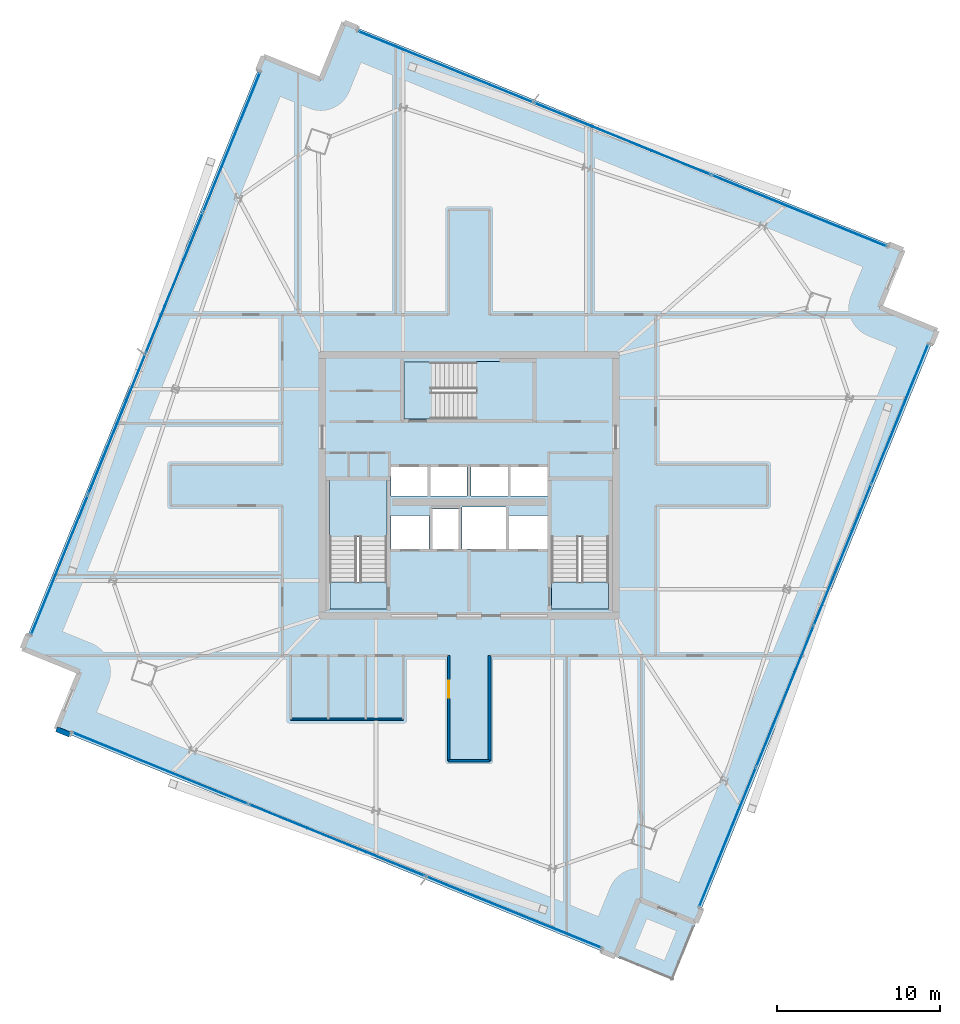
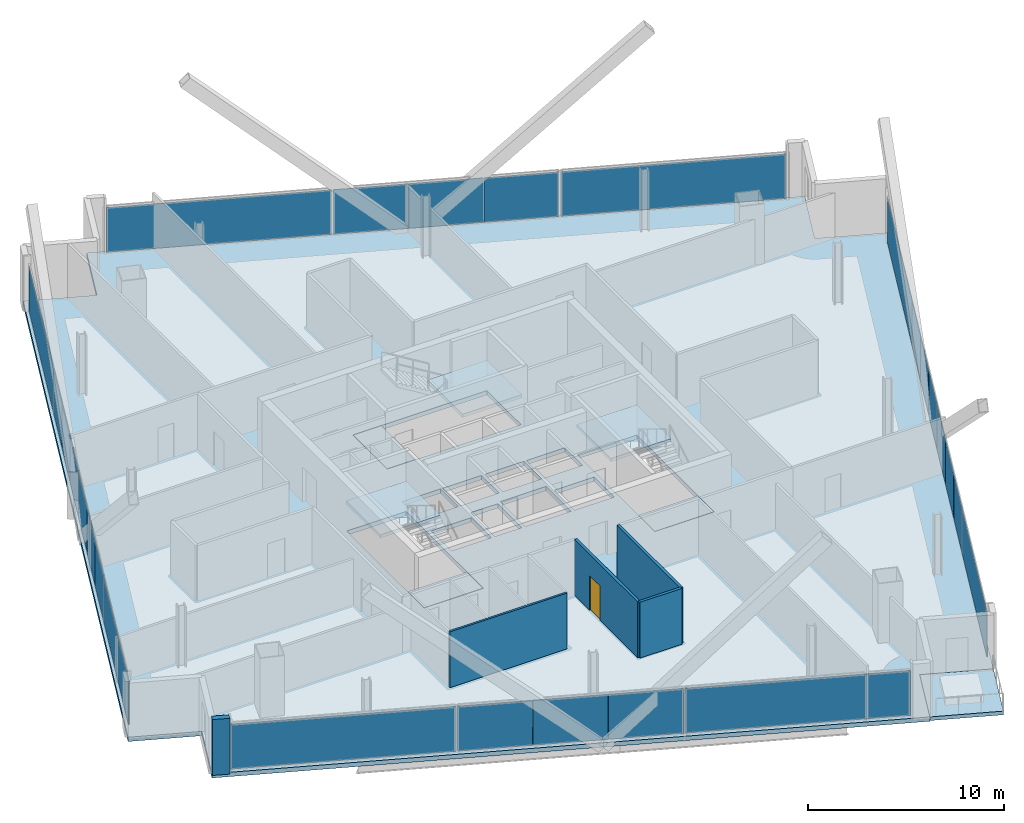
# One storey, part 23 of 31: 26 plates, 8 slabs, 5 walls, 1 door, 1 opening, 7 elements without a shape of their own.
"""IFC4 building model written with IfcOpenShell, lengths in metres."""

from ifc_helpers import new_model, si_unit, direction, frame, frame_2d, origin, origin_2d, place, context, subcontext, project, spatial, polyline, rectangle, outline, extrude, source, transform, mapped, material, layer, layer_set, type_object, element, fill, aggregate, save


model = new_model("IFC4")

# Units and contexts
model_context = context("Model", 3, precision=1e-05, world=origin(), true_north=direction((0.0, 1.0)))
body_context = subcontext(model_context, "Body", "Model", "MODEL_VIEW")
ifc_project = project(units=[si_unit("LENGTHUNIT", "METRE"), si_unit("AREAUNIT", "SQUARE_METRE"), si_unit("VOLUMEUNIT", "CUBIC_METRE"), si_unit("PLANEANGLEUNIT", "RADIAN"), si_unit("MASSUNIT", "GRAM", prefix="KILO")], contexts=[model_context])

# Site, building, storey
site_placement = place(None, origin())
site = spatial("IfcSite", under=ifc_project, at=site_placement, CompositionType="ELEMENT")
building_placement = place(site_placement, origin())
building = spatial("IfcBuilding", under=site, at=building_placement, Name="Haldenkirk Collegiate Tower", CompositionType="ELEMENT")
storey_placement = place(building_placement, frame((0.0, 0.0, 256.199951171875)))
storey = spatial("IfcBuildingStorey", under=building, at=storey_placement, Name="L64", CompositionType="ELEMENT", Elevation=256.199951171875)

# Slab
ifc_material_1 = material(Name="Concrete f'c 40 MPa", Category="concrete")
ifc_layer_1 = layer(ifc_material_1, 0.27001953125)
ifc_layer_set_1 = layer_set([ifc_layer_1], Name="Concrete f'c 40 MPa")
slab_type_1 = type_object("IfcSlabType", Name="SLB-FLR-270", PredefinedType="FLOOR", material=ifc_layer_set_1)
slab_1_placement = place(storey_placement, frame((0.0, 0.0, -0.27001953125)))
element("IfcSlab", 1, at=slab_1_placement, inside=storey, type_object=slab_type_1, Name="L64 composite structural floor slab", PredefinedType="FLOOR", context=body_context, shape_type="SweptSolid", body=[
    extrude(outline(polyline([(49.912841796875, -0.8251953125), (64.6923828125, 35.481689453125), (61.1728515625, 36.91455078125), (62.605712890625, 40.43408203125), (28.336181640625, 54.38427734375), (26.903564453125, 50.86474609375), (23.3837890625, 52.29736328125), (8.604248046875, 15.990478515625), (12.123779296875, 14.5576171875), (10.691162109375, 11.0380859375), (44.96044921875, -2.912109375), (46.393310546875, 0.607421875), (49.912841796875, -0.8251953125)]), holes=[polyline([(27.449951171875, 18.39990234375), (30.949951171875, 18.39990234375), (30.949951171875, 26.300048828125), (27.449951171875, 26.300048828125), (27.449951171875, 18.39990234375)]), polyline([(41.050048828125, 18.39990234375), (44.550048828125, 18.39990234375), (44.550048828125, 26.300048828125), (41.050048828125, 26.300048828125), (41.050048828125, 18.39990234375)]), polyline([(32.0, 30.050048828125), (39.89990234375, 30.050048828125), (39.89990234375, 33.550048828125), (32.0, 33.550048828125), (32.0, 30.050048828125)]), polyline([(33.75, 22.10009765625), (35.35009765625, 22.10009765625), (35.35009765625, 24.550048828125), (33.75, 24.550048828125), (33.75, 22.10009765625)]), polyline([(31.199951171875, 25.35009765625), (33.47998046875, 25.35009765625), (33.47998046875, 27.14990234375), (31.199951171875, 27.14990234375), (31.199951171875, 25.35009765625)]), polyline([(33.60009765625, 25.35009765625), (35.8798828125, 25.35009765625), (35.8798828125, 27.14990234375), (33.60009765625, 27.14990234375), (33.60009765625, 25.35009765625)]), polyline([(36.1201171875, 25.35009765625), (38.39990234375, 25.35009765625), (38.39990234375, 27.14990234375), (36.1201171875, 27.14990234375), (36.1201171875, 25.35009765625)]), polyline([(38.52001953125, 25.35009765625), (40.800048828125, 25.35009765625), (40.800048828125, 27.14990234375), (38.52001953125, 27.14990234375), (38.52001953125, 25.35009765625)]), polyline([(31.199951171875, 22.10009765625), (33.550048828125, 22.10009765625), (33.550048828125, 24.14990234375), (31.199951171875, 24.14990234375), (31.199951171875, 22.10009765625)]), polyline([(38.449951171875, 22.10009765625), (40.800048828125, 22.10009765625), (40.800048828125, 24.14990234375), (38.449951171875, 24.14990234375), (38.449951171875, 22.10009765625)]), polyline([(35.550048828125, 22.10009765625), (38.25, 22.10009765625), (38.25, 24.64990234375), (35.550048828125, 24.64990234375), (35.550048828125, 22.10009765625)])]), origin(), (0.0, 0.0, 1.0), 0.27001953125),
])

# Stair, slab
stair_type = type_object("IfcStairType", Name="STR-DOGLEG-1650", PredefinedType="HALF_TURN_STAIR", material=ifc_material_1)
stair_1_placement = place(storey_placement, origin())
stair_1 = element("IfcStair", 2, at=stair_1_placement, inside=storey, type_object=stair_type, Name="L64 Core Exit Stair ST-1", PredefinedType="HALF_TURN_STAIR")
ifc_layer_2 = layer(ifc_material_1, 0.199951171875)
ifc_layer_set_2 = layer_set([ifc_layer_2], Name="Concrete f'c 40 MPa")
slab_type_2 = type_object("IfcSlabType", Name="SLB-LANDING-200", PredefinedType="LANDING", material=ifc_layer_set_2)
slab_2_placement = place(storey_placement, frame((0.0, 0.0, 1.675048828125)))
slab_2 = element("IfcSlab", 3, at=slab_2_placement, type_object=slab_type_2, Name="ST-1 landing 1", PredefinedType="LANDING", context=body_context, shape_type="SweptSolid", body=[
    extrude(outline(polyline([(30.97509765625, 22.824951171875), (27.425048828125, 22.824951171875), (27.425048828125, 26.324951171875), (30.97509765625, 26.324951171875), (30.97509765625, 22.824951171875)])), origin(), (0.0, 0.0, 1.0), 0.199951171875),
])
aggregate(stair_1, [slab_2])

stair_2_placement = place(storey_placement, origin())
stair_2 = element("IfcStair", 4, at=stair_2_placement, inside=storey, type_object=stair_type, Name="L64 Core Exit Stair ST-2", PredefinedType="HALF_TURN_STAIR")
slab_3_placement = place(storey_placement, frame((0.0, 0.0, 1.675048828125)))
slab_3 = element("IfcSlab", 5, at=slab_3_placement, type_object=slab_type_2, Name="ST-2 landing 1", PredefinedType="LANDING", context=body_context, shape_type="SweptSolid", body=[
    extrude(outline(polyline([(44.574951171875, 22.824951171875), (41.02490234375, 22.824951171875), (41.02490234375, 26.324951171875), (44.574951171875, 26.324951171875), (44.574951171875, 22.824951171875)])), origin(), (0.0, 0.0, 1.0), 0.199951171875),
])
aggregate(stair_2, [slab_3])

stair_3_placement = place(storey_placement, origin())
stair_3 = element("IfcStair", 6, at=stair_3_placement, inside=storey, type_object=stair_type, Name="L64 Core Exit Stair ST-3", PredefinedType="HALF_TURN_STAIR")
slab_4_placement = place(storey_placement, frame((0.0, 0.0, 1.675048828125)))
slab_4 = element("IfcSlab", 7, at=slab_4_placement, type_object=slab_type_2, Name="ST-3 landing 1", PredefinedType="LANDING", context=body_context, shape_type="SweptSolid", body=[
    extrude(outline(polyline([(36.425048828125, 30.02490234375), (36.425048828125, 33.574951171875), (39.925048828125, 33.574951171875), (39.925048828125, 30.02490234375), (36.425048828125, 30.02490234375)])), origin(), (0.0, 0.0, 1.0), 0.199951171875),
])
aggregate(stair_3, [slab_4])

# Slabs
ifc_layer_3 = layer(ifc_material_1, 0.25)
ifc_layer_set_3 = layer_set([ifc_layer_3], Name="Concrete f'c 40 MPa")
slab_type_3 = type_object("IfcSlabType", Name="SLB-STAIRLAND-250", PredefinedType="LANDING", material=ifc_layer_set_3)
slab_5_placement = place(storey_placement, frame((0.0, 0.0, -0.25)))
element("IfcSlab", 8, at=slab_5_placement, inside=storey, type_object=slab_type_3, Name="L64 stair ST1 structural floor landing slab", PredefinedType="LANDING", context=body_context, shape_type="SweptSolid", body=[
    extrude(outline(polyline([(27.4599609375, 18.409912109375), (30.93994140625, 18.409912109375), (30.93994140625, 20.080078125), (27.4599609375, 20.080078125), (27.4599609375, 18.409912109375)])), origin(), (0.0, 0.0, 1.0), 0.25),
])
slab_6_placement = place(storey_placement, frame((0.0, 0.0, -0.25)))
element("IfcSlab", 9, at=slab_6_placement, inside=storey, type_object=slab_type_3, Name="L64 stair ST2 structural floor landing slab", PredefinedType="LANDING", context=body_context, shape_type="SweptSolid", body=[
    extrude(outline(polyline([(41.06005859375, 18.409912109375), (44.5400390625, 18.409912109375), (44.5400390625, 20.080078125), (41.06005859375, 20.080078125), (41.06005859375, 18.409912109375)])), origin(), (0.0, 0.0, 1.0), 0.25),
])
slab_7_placement = place(storey_placement, frame((0.0, 0.0, -0.25)))
element("IfcSlab", 10, at=slab_7_placement, inside=storey, type_object=slab_type_3, Name="L64 stair ST3 structural floor landing slab", PredefinedType="LANDING", context=body_context, shape_type="SweptSolid", body=[
    extrude(outline(polyline([(32.010009765625, 30.06005859375), (33.679931640625, 30.06005859375), (33.679931640625, 33.5400390625), (32.010009765625, 33.5400390625), (32.010009765625, 30.06005859375)])), origin(), (0.0, 0.0, 1.0), 0.25),
])
ifc_layer_4 = layer(ifc_material_1, 0.22998046875)
ifc_layer_set_4 = layer_set([ifc_layer_4], Name="Concrete f'c 40 MPa")
slab_type_4 = type_object("IfcSlabType", Name="SLB-TERR-SPIRAL-230", PredefinedType="FLOOR", material=ifc_layer_set_4)
slab_8_placement = place(storey_placement, frame((0.0, 0.0, -0.22998046875)))
element("IfcSlab", 11, at=slab_8_placement, inside=storey, type_object=slab_type_4, Name="L64 spiralling corner terrace slab", PredefinedType="FLOOR", context=body_context, shape_type="SweptSolid", body=[
    extrude(outline(polyline([(48.47998046875, -4.3447265625), (49.912841796875, -0.8251953125), (46.393310546875, 0.607421875), (44.96044921875, -2.912109375), (48.47998046875, -4.3447265625)])), origin(), (0.0, 0.0, 1.0), 0.22998046875),
])

# Curtain wall, plates
ifc_material_2 = material(Name="Anodised architectural bronze aluminium", Category="aluminium")
curtain_wall_type_1 = type_object("IfcCurtainWallType", Name="CW-SYS2-CONCAVE", PredefinedType="USERDEFINED", material=ifc_material_2)
curtain_wall_1_placement = place(storey_placement, origin())
curtain_wall_1 = element("IfcCurtainWall", 12, at=curtain_wall_1_placement, inside=storey, type_object=curtain_wall_type_1, Name="L64 South concave recessed bronze-anodised curtain wall", ObjectType="UNITISED CURTAIN WALL", PredefinedType="USERDEFINED")
ifc_material_3 = material(Name="Low-E argon triple insulating glass", Category="glass")
ifc_layer_5 = layer(ifc_material_3, 0.0419921875)
ifc_layer_set_5 = layer_set([ifc_layer_5], Name="Low-E argon triple insulating glass")
plate_type_1 = type_object("IfcPlateType", Name="CW-PNL-02", PredefinedType="CURTAIN_PANEL", material=ifc_layer_set_5)
shared_shape_1 = source(origin(), body_context, "Body", "SweptSolid", [
    extrude(rectangle(XDim=9.237548828125, YDim=0.0419921875, at=origin_2d()), origin(), (0.0, 0.0, 1.0), 2.7880859375),
])
plate_1_placement = place(storey_placement, frame((62.416748046875, 30.36865234375, 0.074951171875), z_axis=(0.0, 0.0, 1.0), x_axis=(-0.377031967908, -0.926200245722, 0.0)))
plate_1 = element("IfcPlate", 13, at=plate_1_placement, type_object=plate_type_1, Name="CW-02 panel 1.1", PredefinedType="CURTAIN_PANEL", context=body_context, shape_type="MappedRepresentation", body=[
    mapped(shared_shape_1, transform((0.0, 0.0, 0.0), x_axis=(1.0, 0.0, 0.0), y_axis=(0.0, 1.0, 0.0), z_axis=(0.0, 0.0, 1.0), scale=1.0)),
])
plate_2_placement = place(storey_placement, frame((51.85498046875, 4.423583984375, 0.074951171875), z_axis=(0.0, 0.0, 1.0), x_axis=(-0.377031967908, -0.926200245722, 0.0)))
plate_2 = element("IfcPlate", 14, at=plate_2_placement, type_object=plate_type_1, Name="CW-02 panel 4.1", PredefinedType="CURTAIN_PANEL", context=body_context, shape_type="MappedRepresentation", body=[
    mapped(shared_shape_1, transform((0.0, 0.0, 0.0), x_axis=(1.0, 0.0, 0.0), y_axis=(0.0, 1.0, 0.0), z_axis=(0.0, 0.0, 1.0), scale=1.0)),
])
shared_shape_2 = source(origin(), body_context, "Body", "SweptSolid", [
    extrude(rectangle(XDim=3.0791015625, YDim=0.0419921875, at=origin_2d()), origin(), (0.0, 0.0, 1.0), 2.7880859375),
])
plate_3_placement = place(storey_placement, frame((60.06640625, 24.595458984375, 0.074951171875), z_axis=(0.0, 0.0, 1.0), x_axis=(-0.377031967908, -0.926200245722, 0.0)))
plate_3 = element("IfcPlate", 15, at=plate_3_placement, type_object=plate_type_1, Name="CW-02 panel 2.1a", PredefinedType="CURTAIN_PANEL", context=body_context, shape_type="MappedRepresentation", body=[
    mapped(shared_shape_2, transform((0.0, 0.0, 0.0), x_axis=(1.0, 0.0, 0.0), y_axis=(0.0, 1.0, 0.0), z_axis=(0.0, 0.0, 1.0), scale=1.0)),
])
ifc_material_4 = material(Name="Bronze-anodised insulated aluminium spandrel panel", Category="aluminium")
ifc_layer_6 = layer(ifc_material_4, 0.0419921875)
ifc_layer_set_6 = layer_set([ifc_layer_6], Name="Bronze-anodised insulated aluminium spandrel panel")
plate_type_2 = type_object("IfcPlateType", Name="CW-SPD-02", PredefinedType="CURTAIN_PANEL", material=ifc_layer_set_6)
plate_4_placement = place(storey_placement, frame((57.73046875, 18.856689453125, 0.074951171875), z_axis=(0.0, 0.0, 1.0), x_axis=(-0.377031967908, -0.926200245722, 0.0)))
plate_4 = element("IfcPlate", 16, at=plate_4_placement, type_object=plate_type_2, Name="CW-02 spandrel panel 2.1c", PredefinedType="CURTAIN_PANEL", context=body_context, shape_type="MappedRepresentation", body=[
    mapped(shared_shape_2, transform((0.0, 0.0, 0.0), x_axis=(1.0, 0.0, 0.0), y_axis=(0.0, 1.0, 0.0), z_axis=(0.0, 0.0, 1.0), scale=1.0)),
])
plate_5_placement = place(storey_placement, frame((56.541259765625, 15.935546875, 0.074951171875), z_axis=(0.0, 0.0, 1.0), x_axis=(-0.377031967908, -0.926200245722, 0.0)))
plate_5 = element("IfcPlate", 17, at=plate_5_placement, type_object=plate_type_2, Name="CW-02 spandrel panel 3.1a", PredefinedType="CURTAIN_PANEL", context=body_context, shape_type="MappedRepresentation", body=[
    mapped(shared_shape_2, transform((0.0, 0.0, 0.0), x_axis=(1.0, 0.0, 0.0), y_axis=(0.0, 1.0, 0.0), z_axis=(0.0, 0.0, 1.0), scale=1.0)),
])
plate_6_placement = place(storey_placement, frame((54.205322265625, 10.197021484375, 0.074951171875), z_axis=(0.0, 0.0, 1.0), x_axis=(-0.377031967908, -0.926200245722, 0.0)))
plate_6 = element("IfcPlate", 18, at=plate_6_placement, type_object=plate_type_1, Name="CW-02 panel 3.1c", PredefinedType="CURTAIN_PANEL", context=body_context, shape_type="MappedRepresentation", body=[
    mapped(shared_shape_2, transform((0.0, 0.0, 0.0), x_axis=(1.0, 0.0, 0.0), y_axis=(0.0, 1.0, 0.0), z_axis=(0.0, 0.0, 1.0), scale=1.0)),
])
shared_shape_3 = source(origin(), body_context, "Body", "SweptSolid", [
    extrude(rectangle(XDim=3.066650390625, YDim=0.0419921875, at=origin_2d()), origin(), (0.0, 0.0, 1.0), 2.7880859375),
])
plate_7_placement = place(storey_placement, frame((58.8984375, 21.72607421875, 0.074951171875), z_axis=(0.0, 0.0, 1.0), x_axis=(-0.377031967908, -0.926200245722, 0.0)))
plate_7 = element("IfcPlate", 19, at=plate_7_placement, type_object=plate_type_2, Name="CW-02 spandrel panel 2.1b", PredefinedType="CURTAIN_PANEL", context=body_context, shape_type="MappedRepresentation", body=[
    mapped(shared_shape_3, transform((0.0, 0.0, 0.0), x_axis=(1.0, 0.0, 0.0), y_axis=(0.0, 1.0, 0.0), z_axis=(0.0, 0.0, 1.0), scale=1.0)),
])
plate_8_placement = place(storey_placement, frame((55.373291015625, 13.066162109375, 0.074951171875), z_axis=(0.0, 0.0, 1.0), x_axis=(-0.377031967908, -0.926200245722, 0.0)))
plate_8 = element("IfcPlate", 20, at=plate_8_placement, type_object=plate_type_1, Name="CW-02 panel 3.1b", PredefinedType="CURTAIN_PANEL", context=body_context, shape_type="MappedRepresentation", body=[
    mapped(shared_shape_3, transform((0.0, 0.0, 0.0), x_axis=(1.0, 0.0, 0.0), y_axis=(0.0, 1.0, 0.0), z_axis=(0.0, 0.0, 1.0), scale=1.0)),
])
aggregate(curtain_wall_1, [plate_1, plate_3, plate_7, plate_4, plate_5, plate_8, plate_6, plate_2])

curtain_wall_type_2 = type_object("IfcCurtainWallType", Name="CW-SYS1B-CONVEX-HI", PredefinedType="USERDEFINED", material=ifc_material_2)
curtain_wall_2_placement = place(storey_placement, origin())
curtain_wall_2 = element("IfcCurtainWall", 21, at=curtain_wall_2_placement, inside=storey, type_object=curtain_wall_type_2, Name="L64 Upper tower high-wind convex bronze unitised curtain wall", ObjectType="UNITISED CURTAIN WALL", PredefinedType="USERDEFINED")
ifc_layer_7 = layer(ifc_material_3, 0.048095703125)
ifc_layer_set_7 = layer_set([ifc_layer_7], Name="Low-E argon triple insulating glass")
plate_type_3 = type_object("IfcPlateType", Name="CW-PNL-1B", PredefinedType="CURTAIN_PANEL", material=ifc_layer_set_7)
shared_shape_4 = source(origin(), body_context, "Body", "SweptSolid", [
    extrude(rectangle(XDim=11.605712890625, YDim=0.048095703125, at=origin_2d()), origin(), (0.0, 0.0, 1.0), 2.76806640625),
])
plate_9_placement = place(storey_placement, frame((34.55517578125, 51.658447265625, 0.0849609375), z_axis=(0.0, 0.0, 1.0), x_axis=(0.926199307886, -0.377034271745, 0.0)))
plate_9 = element("IfcPlate", 22, at=plate_9_placement, type_object=plate_type_3, Name="CW-1B panel 1.1", PredefinedType="CURTAIN_PANEL", context=body_context, shape_type="MappedRepresentation", body=[
    mapped(shared_shape_4, transform((0.0, 0.0, 0.0), x_axis=(1.0, 0.0, 0.0), y_axis=(0.0, 1.0, 0.0), z_axis=(0.0, 0.0, 1.0), scale=1.0)),
])
plate_10_placement = place(storey_placement, frame((56.250732421875, 42.82666015625, 0.0849609375), z_axis=(0.0, 0.0, 1.0), x_axis=(0.926199307886, -0.377034271745, 0.0)))
plate_10 = element("IfcPlate", 23, at=plate_10_placement, type_object=plate_type_3, Name="CW-1B panel 3.1", PredefinedType="CURTAIN_PANEL", context=body_context, shape_type="MappedRepresentation", body=[
    mapped(shared_shape_4, transform((0.0, 0.0, 0.0), x_axis=(1.0, 0.0, 0.0), y_axis=(0.0, 1.0, 0.0), z_axis=(0.0, 0.0, 1.0), scale=1.0)),
])

curtain_wall_3_placement = place(storey_placement, origin())
curtain_wall_3 = element("IfcCurtainWall", 24, at=curtain_wall_3_placement, inside=storey, type_object=curtain_wall_type_2, Name="L64 Upper tower high-wind convex bronze unitised curtain wall", ObjectType="UNITISED CURTAIN WALL", PredefinedType="USERDEFINED")
plate_11_placement = place(storey_placement, frame((38.741455078125, -0.18603515625, 0.0849609375), z_axis=(0.0, 0.0, 1.0), x_axis=(-0.926199307886, 0.377034271745, 0.0)))
plate_11 = element("IfcPlate", 25, at=plate_11_placement, type_object=plate_type_3, Name="CW-1B panel 1.1", PredefinedType="CURTAIN_PANEL", context=body_context, shape_type="MappedRepresentation", body=[
    mapped(shared_shape_4, transform((0.0, 0.0, 0.0), x_axis=(1.0, 0.0, 0.0), y_axis=(0.0, 1.0, 0.0), z_axis=(0.0, 0.0, 1.0), scale=1.0)),
])
plate_12_placement = place(storey_placement, frame((17.0458984375, 8.6455078125, 0.0849609375), z_axis=(0.0, 0.0, 1.0), x_axis=(-0.926199307886, 0.377034271745, 0.0)))
plate_12 = element("IfcPlate", 26, at=plate_12_placement, type_object=plate_type_3, Name="CW-1B panel 3.1", PredefinedType="CURTAIN_PANEL", context=body_context, shape_type="MappedRepresentation", body=[
    mapped(shared_shape_4, transform((0.0, 0.0, 0.0), x_axis=(1.0, 0.0, 0.0), y_axis=(0.0, 1.0, 0.0), z_axis=(0.0, 0.0, 1.0), scale=1.0)),
])

# Plate
ifc_layer_8 = layer(ifc_material_4, 0.048095703125)
ifc_layer_set_8 = layer_set([ifc_layer_8], Name="Bronze-anodised insulated aluminium spandrel panel")
plate_type_4 = type_object("IfcPlateType", Name="CW-SPD-1B", PredefinedType="CURTAIN_PANEL", material=ifc_layer_set_8)
shared_shape_5 = source(origin(), body_context, "Body", "SweptSolid", [
    extrude(rectangle(XDim=3.870361328125, YDim=0.048095703125, at=origin_2d()), origin(), (0.0, 0.0, 1.0), 2.76806640625),
])
plate_13_placement = place(storey_placement, frame((41.801025390625, 48.708740234375, 0.0849609375), z_axis=(0.0, 0.0, 1.0), x_axis=(0.926199307886, -0.377034271745, 0.0)))
plate_13 = element("IfcPlate", 27, at=plate_13_placement, type_object=plate_type_4, Name="CW-1B spandrel panel 2.1a", PredefinedType="CURTAIN_PANEL", context=body_context, shape_type="MappedRepresentation", body=[
    mapped(shared_shape_5, transform((0.0, 0.0, 0.0), x_axis=(1.0, 0.0, 0.0), y_axis=(0.0, 1.0, 0.0), z_axis=(0.0, 0.0, 1.0), scale=1.0)),
])

plate_14_placement = place(storey_placement, frame((49.0048828125, 45.776123046875, 0.0849609375), z_axis=(0.0, 0.0, 1.0), x_axis=(0.926199307886, -0.377034271745, 0.0)))
plate_14 = element("IfcPlate", 28, at=plate_14_placement, type_object=plate_type_4, Name="CW-1B spandrel panel 2.1c", PredefinedType="CURTAIN_PANEL", context=body_context, shape_type="MappedRepresentation", body=[
    mapped(shared_shape_5, transform((0.0, 0.0, 0.0), x_axis=(1.0, 0.0, 0.0), y_axis=(0.0, 1.0, 0.0), z_axis=(0.0, 0.0, 1.0), scale=1.0)),
])

plate_15_placement = place(storey_placement, frame((31.49560546875, 2.763427734375, 0.0849609375), z_axis=(0.0, 0.0, 1.0), x_axis=(-0.926199307886, 0.377034271745, 0.0)))
plate_15 = element("IfcPlate", 29, at=plate_15_placement, type_object=plate_type_4, Name="CW-1B spandrel panel 2.1a", PredefinedType="CURTAIN_PANEL", context=body_context, shape_type="MappedRepresentation", body=[
    mapped(shared_shape_5, transform((0.0, 0.0, 0.0), x_axis=(1.0, 0.0, 0.0), y_axis=(0.0, 1.0, 0.0), z_axis=(0.0, 0.0, 1.0), scale=1.0)),
])

plate_16_placement = place(storey_placement, frame((24.291748046875, 5.696044921875, 0.0849609375), z_axis=(0.0, 0.0, 1.0), x_axis=(-0.926199307886, 0.377034271745, 0.0)))
plate_16 = element("IfcPlate", 30, at=plate_16_placement, type_object=plate_type_4, Name="CW-1B spandrel panel 2.1c", PredefinedType="CURTAIN_PANEL", context=body_context, shape_type="MappedRepresentation", body=[
    mapped(shared_shape_5, transform((0.0, 0.0, 0.0), x_axis=(1.0, 0.0, 0.0), y_axis=(0.0, 1.0, 0.0), z_axis=(0.0, 0.0, 1.0), scale=1.0)),
])

shared_shape_6 = source(origin(), body_context, "Body", "SweptSolid", [
    extrude(rectangle(XDim=3.85791015625, YDim=0.048095703125, at=origin_2d()), origin(), (0.0, 0.0, 1.0), 2.76806640625),
])
plate_17_placement = place(storey_placement, frame((45.403076171875, 47.242431640625, 0.0849609375), z_axis=(0.0, 0.0, 1.0), x_axis=(0.926199307886, -0.377034271745, 0.0)))
plate_17 = element("IfcPlate", 31, at=plate_17_placement, type_object=plate_type_4, Name="CW-1B spandrel panel 2.1b", PredefinedType="CURTAIN_PANEL", context=body_context, shape_type="MappedRepresentation", body=[
    mapped(shared_shape_6, transform((0.0, 0.0, 0.0), x_axis=(1.0, 0.0, 0.0), y_axis=(0.0, 1.0, 0.0), z_axis=(0.0, 0.0, 1.0), scale=1.0)),
])

aggregate(curtain_wall_2, [plate_9, plate_13, plate_17, plate_14, plate_10])

plate_18_placement = place(storey_placement, frame((27.893798828125, 4.229736328125, 0.0849609375), z_axis=(0.0, 0.0, 1.0), x_axis=(-0.926199307886, 0.377034271745, 0.0)))
plate_18 = element("IfcPlate", 32, at=plate_18_placement, type_object=plate_type_4, Name="CW-1B spandrel panel 2.1b", PredefinedType="CURTAIN_PANEL", context=body_context, shape_type="MappedRepresentation", body=[
    mapped(shared_shape_6, transform((0.0, 0.0, 0.0), x_axis=(1.0, 0.0, 0.0), y_axis=(0.0, 1.0, 0.0), z_axis=(0.0, 0.0, 1.0), scale=1.0)),
])

aggregate(curtain_wall_3, [plate_11, plate_15, plate_18, plate_16, plate_12])

# Curtain wall, plates
curtain_wall_4_placement = place(storey_placement, origin())
curtain_wall_4 = element("IfcCurtainWall", 33, at=curtain_wall_4_placement, inside=storey, type_object=curtain_wall_type_2, Name="L64 Upper tower high-wind convex bronze unitised curtain wall", ObjectType="UNITISED CURTAIN WALL", PredefinedType="USERDEFINED")
shared_shape_7 = source(origin(), body_context, "Body", "SweptSolid", [
    extrude(rectangle(XDim=9.222412109375, YDim=0.048095703125, at=origin_2d()), origin(), (0.0, 0.0, 1.0), 2.76806640625),
])
plate_19_placement = place(storey_placement, frame((10.880859375, 21.105712890625, 0.0849609375), z_axis=(0.0, 0.0, 1.0), x_axis=(0.377035195329, 0.926198931916, 0.0)))
plate_19 = element("IfcPlate", 34, at=plate_19_placement, type_object=plate_type_3, Name="CW-1B panel 1.1", PredefinedType="CURTAIN_PANEL", context=body_context, shape_type="MappedRepresentation", body=[
    mapped(shared_shape_7, transform((0.0, 0.0, 0.0), x_axis=(1.0, 0.0, 0.0), y_axis=(0.0, 1.0, 0.0), z_axis=(0.0, 0.0, 1.0), scale=1.0)),
])
plate_20_placement = place(storey_placement, frame((21.440673828125, 47.046142578125, 0.0849609375), z_axis=(0.0, 0.0, 1.0), x_axis=(0.377035195329, 0.926198931916, 0.0)))
plate_20 = element("IfcPlate", 35, at=plate_20_placement, type_object=plate_type_3, Name="CW-1B panel 4.1", PredefinedType="CURTAIN_PANEL", context=body_context, shape_type="MappedRepresentation", body=[
    mapped(shared_shape_7, transform((0.0, 0.0, 0.0), x_axis=(1.0, 0.0, 0.0), y_axis=(0.0, 1.0, 0.0), z_axis=(0.0, 0.0, 1.0), scale=1.0)),
])
shared_shape_8 = source(origin(), body_context, "Body", "SweptSolid", [
    extrude(rectangle(XDim=3.07568359375, YDim=0.048095703125, at=origin_2d()), origin(), (0.0, 0.0, 1.0), 2.76806640625),
])
plate_21_placement = place(storey_placement, frame((13.231201171875, 26.8798828125, 0.0849609375), z_axis=(0.0, 0.0, 1.0), x_axis=(0.377035195329, 0.926198931916, 0.0)))
plate_21 = element("IfcPlate", 36, at=plate_21_placement, type_object=plate_type_3, Name="CW-1B panel 2.1a", PredefinedType="CURTAIN_PANEL", context=body_context, shape_type="MappedRepresentation", body=[
    mapped(shared_shape_8, transform((0.0, 0.0, 0.0), x_axis=(1.0, 0.0, 0.0), y_axis=(0.0, 1.0, 0.0), z_axis=(0.0, 0.0, 1.0), scale=1.0)),
])
plate_22_placement = place(storey_placement, frame((15.56494140625, 32.6123046875, 0.0849609375), z_axis=(0.0, 0.0, 1.0), x_axis=(0.377035195329, 0.926198931916, 0.0)))
plate_22 = element("IfcPlate", 37, at=plate_22_placement, type_object=plate_type_4, Name="CW-1B spandrel panel 2.1c", PredefinedType="CURTAIN_PANEL", context=body_context, shape_type="MappedRepresentation", body=[
    mapped(shared_shape_8, transform((0.0, 0.0, 0.0), x_axis=(1.0, 0.0, 0.0), y_axis=(0.0, 1.0, 0.0), z_axis=(0.0, 0.0, 1.0), scale=1.0)),
])
plate_23_placement = place(storey_placement, frame((16.756591796875, 35.539794921875, 0.0849609375), z_axis=(0.0, 0.0, 1.0), x_axis=(0.377035195329, 0.926198931916, 0.0)))
plate_23 = element("IfcPlate", 38, at=plate_23_placement, type_object=plate_type_4, Name="CW-1B spandrel panel 3.1a", PredefinedType="CURTAIN_PANEL", context=body_context, shape_type="MappedRepresentation", body=[
    mapped(shared_shape_8, transform((0.0, 0.0, 0.0), x_axis=(1.0, 0.0, 0.0), y_axis=(0.0, 1.0, 0.0), z_axis=(0.0, 0.0, 1.0), scale=1.0)),
])
plate_24_placement = place(storey_placement, frame((19.090087890625, 41.272216796875, 0.0849609375), z_axis=(0.0, 0.0, 1.0), x_axis=(0.377035195329, 0.926198931916, 0.0)))
plate_24 = element("IfcPlate", 39, at=plate_24_placement, type_object=plate_type_3, Name="CW-1B panel 3.1c", PredefinedType="CURTAIN_PANEL", context=body_context, shape_type="MappedRepresentation", body=[
    mapped(shared_shape_8, transform((0.0, 0.0, 0.0), x_axis=(1.0, 0.0, 0.0), y_axis=(0.0, 1.0, 0.0), z_axis=(0.0, 0.0, 1.0), scale=1.0)),
])
shared_shape_9 = source(origin(), body_context, "Body", "SweptSolid", [
    extrude(rectangle(XDim=3.063232421875, YDim=0.048095703125, at=origin_2d()), origin(), (0.0, 0.0, 1.0), 2.76806640625),
])
plate_25_placement = place(storey_placement, frame((14.398193359375, 29.74609375, 0.0849609375), z_axis=(0.0, 0.0, 1.0), x_axis=(0.377035195329, 0.926198931916, 0.0)))
plate_25 = element("IfcPlate", 40, at=plate_25_placement, type_object=plate_type_4, Name="CW-1B spandrel panel 2.1b", PredefinedType="CURTAIN_PANEL", context=body_context, shape_type="MappedRepresentation", body=[
    mapped(shared_shape_9, transform((0.0, 0.0, 0.0), x_axis=(1.0, 0.0, 0.0), y_axis=(0.0, 1.0, 0.0), z_axis=(0.0, 0.0, 1.0), scale=1.0)),
])
plate_26_placement = place(storey_placement, frame((17.92333984375, 38.406005859375, 0.0849609375), z_axis=(0.0, 0.0, 1.0), x_axis=(0.377035195329, 0.926198931916, 0.0)))
plate_26 = element("IfcPlate", 41, at=plate_26_placement, type_object=plate_type_4, Name="CW-1B spandrel panel 3.1b", PredefinedType="CURTAIN_PANEL", context=body_context, shape_type="MappedRepresentation", body=[
    mapped(shared_shape_9, transform((0.0, 0.0, 0.0), x_axis=(1.0, 0.0, 0.0), y_axis=(0.0, 1.0, 0.0), z_axis=(0.0, 0.0, 1.0), scale=1.0)),
])
aggregate(curtain_wall_4, [plate_19, plate_21, plate_25, plate_22, plate_23, plate_26, plate_24, plate_20])

# Wall
ifc_material_5 = material(Name="Precast concrete f'c 40 MPa", Category="concrete")
ifc_layer_9 = layer(ifc_material_5, 0.320068359375)
ifc_layer_set_9 = layer_set([ifc_layer_9], Name="Precast concrete f'c 40 MPa")
wall_type_1 = type_object("IfcWallType", Name="WL-EXT-TWR-320", PredefinedType="STANDARD", material=ifc_layer_set_9)
wall_1_placement = place(storey_placement, frame((11.524658203125, 10.69873046875, 0.0), z_axis=(0.0, 0.0, 1.0), x_axis=(-0.926176595479, 0.377090060843, 0.0)))
element("IfcWall", 42, at=wall_1_placement, inside=storey, type_object=wall_type_1, Name="L64 precast corner pier WR", PredefinedType="STANDARD", context=body_context, shape_type="SweptSolid", body=[
    extrude(rectangle(XDim=0.89990234375, YDim=0.320068359375, at=frame_2d((0.449951171875, 0.0))), origin(), (0.0, 0.0, 1.0), 3.47998046875),
])

# Wall, opening, door
ifc_material_6 = material(Name="Acoustic fire-rated gypsum partition", Category="concrete")
ifc_layer_10 = layer(ifc_material_6, 0.159912109375)
ifc_layer_set_10 = layer_set([ifc_layer_10], Name="Acoustic fire-rated gypsum partition")
wall_type_2 = type_object("IfcWallType", Name="WL-INT-CORR-160", PredefinedType="PARTITIONING", material=ifc_layer_set_10)
wall_2_placement = place(storey_placement, frame((34.75, 9.10009765625, 0.0), z_axis=(0.0, 0.0, 1.0), x_axis=(0.0, 1.0, 0.0)))
wall_2 = element("IfcWall", 43, at=wall_2_placement, inside=storey, type_object=wall_type_2, Name="L64 interior partition IW-L64-SPW", PredefinedType="PARTITIONING", context=body_context, shape_type="SweptSolid", body=[
    extrude(rectangle(XDim=6.449951171875, YDim=0.159912109375, at=frame_2d((3.22509765625, 0.0))), origin(), (0.0, 0.0, 1.0), 3.47998046875),
])
opening_placement = place(wall_2_placement, frame((3.861083984375, 0.0, 0.0)))
opening = element("IfcOpeningElement", 44, at=opening_placement, cuts=wall_2, Name="Opening D-09", PredefinedType="OPENING", context=body_context, shape_type="SweptSolid", body=[
    extrude(rectangle(XDim=1.050048828125, YDim=2.14990234375, at=frame_2d((0.52490234375, 1.074951171875))), frame((0.0, 0.08984375, 0.0), z_axis=(0.0, -1.0, 0.0), x_axis=(1.0, 0.0, 0.0)), (0.0, 0.0, 1.0), 0.179931640625),
])
ifc_material_7 = material(Name="Solid-core architectural oak fire door", Category="wood")
ifc_layer_11 = layer(ifc_material_7, 0.06005859375)
ifc_layer_set_11 = layer_set([ifc_layer_11], Name="Solid-core architectural oak fire door")
door_type = type_object("IfcDoorType", Name="DR-INT-FD60-1050", OperationType="NOTDEFINED", PredefinedType="DOOR", material=ifc_layer_set_11)
door_placement = place(opening_placement, origin())
door = element("IfcDoor", 45, at=door_placement, inside=storey, type_object=door_type, Name="L64 Graduate Seminar Room 1 door", OperationType="SINGLE_SWING_RIGHT", OverallHeight=2.14990234375, OverallWidth=1.050048828125, PredefinedType="DOOR", context=body_context, shape_type="SweptSolid", body=[
    extrude(rectangle(XDim=1.050048828125, YDim=2.14990234375, at=frame_2d((0.52490234375, 1.074951171875))), frame((0.0, 0.02490234375, 0.0), z_axis=(0.0, -1.0, 0.0), x_axis=(1.0, 0.0, 0.0)), (0.0, 0.0, 1.0), 0.050048828125),
])
fill(opening, door)

# Walls
wall_3_placement = place(storey_placement, frame((37.25, 9.10009765625, 0.0), z_axis=(0.0, 0.0, 1.0), x_axis=(0.0, 1.0, 0.0)))
element("IfcWall", 46, at=wall_3_placement, inside=storey, type_object=wall_type_2, Name="L64 interior partition IW-L64-SPE", PredefinedType="PARTITIONING", context=body_context, shape_type="SweptSolid", body=[
    extrude(rectangle(XDim=6.449951171875, YDim=0.159912109375, at=frame_2d((3.22509765625, 0.0))), origin(), (0.0, 0.0, 1.0), 3.47998046875),
])
wall_4_placement = place(storey_placement, frame((34.75, 9.10009765625, 0.0), z_axis=(0.0, 0.0, 1.0), x_axis=(1.0, 0.0, 0.0)))
element("IfcWall", 47, at=wall_4_placement, inside=storey, type_object=wall_type_2, Name="L64 interior partition IW-L64-SPS", PredefinedType="PARTITIONING", context=body_context, shape_type="SweptSolid", body=[
    extrude(rectangle(XDim=2.5, YDim=0.159912109375, at=frame_2d((1.25, 0.0))), origin(), (0.0, 0.0, 1.0), 3.47998046875),
])
ifc_layer_12 = layer(ifc_material_6, 0.1201171875)
ifc_layer_set_12 = layer_set([ifc_layer_12], Name="Acoustic fire-rated gypsum partition")
wall_type_3 = type_object("IfcWallType", Name="WL-INT-WET-120", PredefinedType="PARTITIONING", material=ifc_layer_set_12)
wall_5_placement = place(storey_placement, frame((25.050048828125, 11.64990234375, 0.0), z_axis=(0.0, 0.0, 1.0), x_axis=(1.0, 0.0, 0.0)))
element("IfcWall", 48, at=wall_5_placement, inside=storey, type_object=wall_type_3, Name="L64 interior partition IW-L64-WCB", PredefinedType="PARTITIONING", context=body_context, shape_type="SweptSolid", body=[
    extrude(rectangle(XDim=6.89990234375, YDim=0.1201171875, at=frame_2d((3.449951171875, 0.0))), origin(), (0.0, 0.0, 1.0), 3.47998046875),
])

save(model, "model.ifc")
